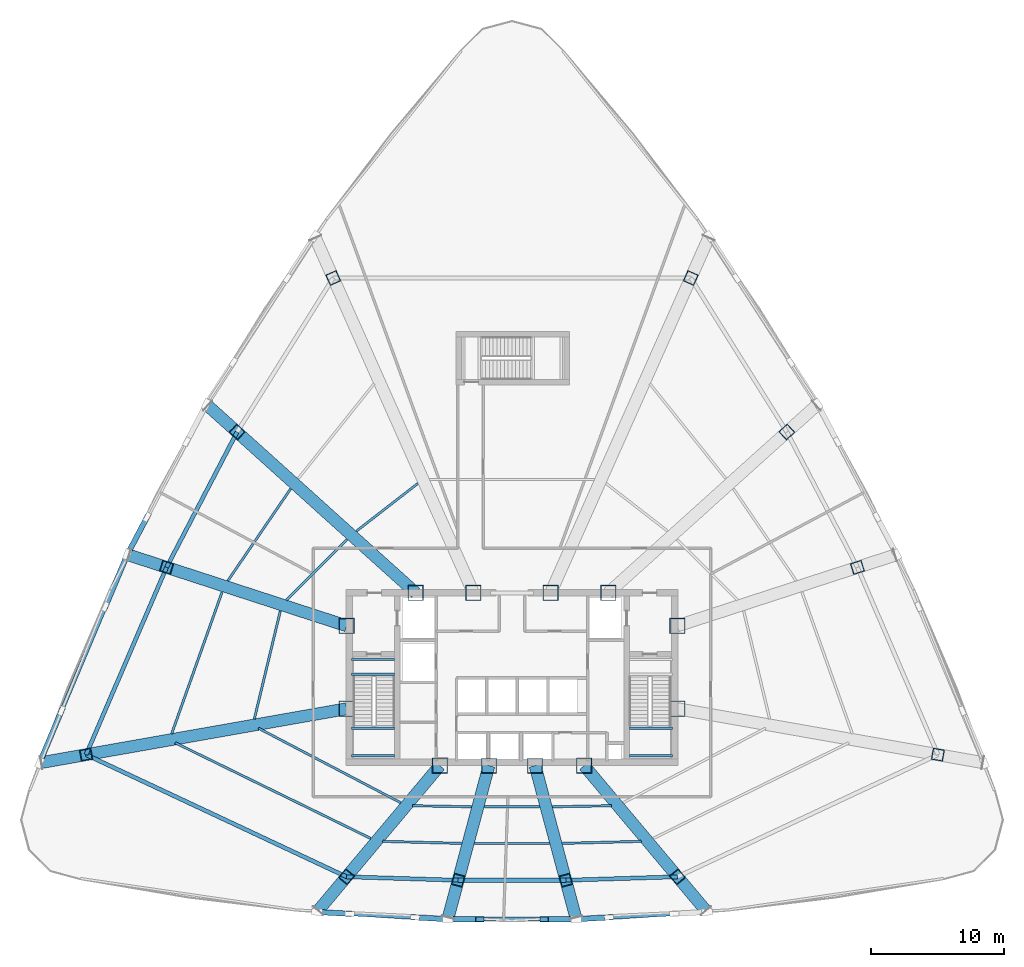
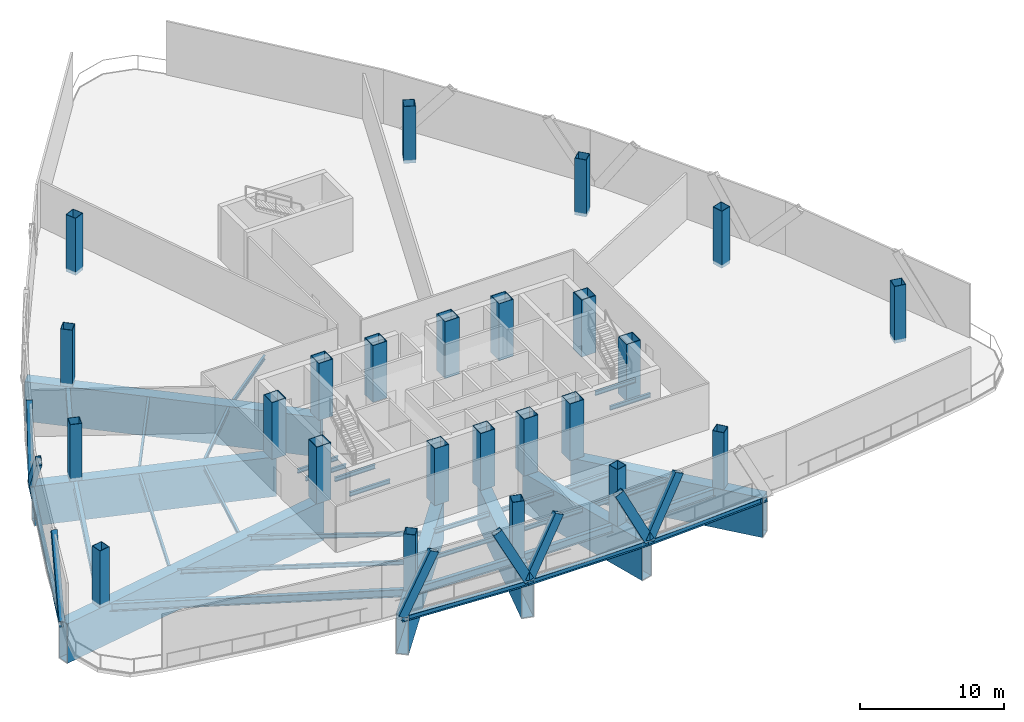
# One storey, part 1 of 14: 36 beams, 24 columns, 8 members.
"""IFC4 building model written with IfcOpenShell, lengths in metres."""

from ifc_helpers import new_model, si_unit, direction, frame, origin, origin_2d, place, context, subcontext, project, spatial, hollow_rectangle, i_section, extrude, source, transform, mapped, material, material_profile, profile_set, type_object, element, save


model = new_model("IFC4")

# Units and contexts
model_context = context("Model", 3, precision=1e-05, world=origin(), true_north=direction((0.0, 1.0)))
body_context = subcontext(model_context, "Body", "Model", "MODEL_VIEW")
ifc_project = project(units=[si_unit("LENGTHUNIT", "METRE"), si_unit("AREAUNIT", "SQUARE_METRE"), si_unit("VOLUMEUNIT", "CUBIC_METRE"), si_unit("PLANEANGLEUNIT", "RADIAN"), si_unit("MASSUNIT", "GRAM", prefix="KILO"), si_unit("THERMODYNAMICTEMPERATUREUNIT", "KELVIN"), si_unit("POWERUNIT", "WATT")], contexts=[model_context])

# Site, building, storey
site_placement = place(None, origin())
site = spatial("IfcSite", under=ifc_project, at=site_placement, CompositionType="ELEMENT")
building_placement = place(site_placement, origin())
building = spatial("IfcBuilding", under=site, at=building_placement, Name="Yunzhuo Pagoda Commons", CompositionType="ELEMENT")
storey_placement = place(building_placement, frame((0.0, 0.0, 224.81005859375)))
storey = spatial("IfcBuildingStorey", under=building, at=storey_placement, Name="L56", CompositionType="ELEMENT", Elevation=224.81005859375)

# Columns
ifc_material_1 = material(Name="Structural steel Q420B", Category="steel")
ifc_material_profile_1 = material_profile(ifc_material_1, hollow_rectangle(XDim=1.14990234375, YDim=1.14990234375, WallThickness=0.048095703125, at=origin_2d()), Name="Structural steel Q420B")
ifc_profile_set_1 = profile_set([ifc_material_profile_1], Name="Structural steel Q420B")
column_type_1 = type_object("IfcColumnType", Name="C-COR Column BOX 1150x1150x48", PredefinedType="COLUMN", material=ifc_profile_set_1)
shared_shape_1 = source(origin(), body_context, "Body", "SweptSolid", [
    extrude(hollow_rectangle(XDim=1.14990234375, YDim=1.14990234375, WallThickness=0.048095703125, at=origin_2d()), origin(), (0.0, 0.0, 1.0), 4.820068359375),
])
for number, where, z_axis, x_axis, name in (
    (1, (42.587890625, 27.25, -0.280029296875), (0.0, 0.0, 1.0), (1.0, 0.0, 0.0), "L56 core composite column F1C1"),
    (2, (46.27197265625, 27.25, -0.280029296875), (0.0, 0.0, 1.0), (1.0, 0.0, 0.0), "L56 core composite column F1C2"),
    (3, (49.728515625, 27.25, -0.280029296875), (0.0, 0.0, 1.0), (1.0, 0.0, 0.0), "L56 core composite column F1C3"),
    (4, (53.412109375, 27.25, -0.280029296875), (0.0, 0.0, 1.0), (1.0, 0.0, 0.0), "L56 core composite column F1C4"),
    (5, (60.39990234375, 31.513427734375, -0.280029296875), (0.0, 0.0, 1.0), (1.0, 0.0, 0.0), "L56 core composite column F2C1"),
    (6, (60.39990234375, 37.72900390625, -0.280029296875), (0.0, 0.0, 1.0), (1.0, 0.0, 0.0), "L56 core composite column F2C2"),
    (7, (55.218994140625, 40.199951171875, -0.280029296875), (0.0, 0.0, 1.0), (1.0, 0.0, 0.0), "L56 core composite column F2C3"),
    (8, (50.89404296875, 40.199951171875, -0.280029296875), (0.0, 0.0, 1.0), (1.0, 0.0, 0.0), "L56 core composite column F2C4"),
    (9, (45.10595703125, 40.199951171875, -0.280029296875), (0.0, 0.0, 1.0), (1.0, 0.0, 0.0), "L56 core composite column F3C1"),
    (10, (40.781005859375, 40.199951171875, -0.280029296875), (0.0, 0.0, 1.0), (1.0, 0.0, 0.0), "L56 core composite column F3C2"),
    (11, (35.60009765625, 37.72900390625, -0.280029296875), (0.0, 0.0, 1.0), (1.0, 0.0, 0.0), "L56 core composite column F3C3"),
    (12, (35.60009765625, 31.513427734375, -0.280029296875), (0.0, 0.0, 1.0), (1.0, 0.0, 0.0), "L56 core composite column F3C4"),
):
    element("IfcColumn", number, at=place(storey_placement, frame(where, z_axis=z_axis, x_axis=x_axis)), inside=storey, type_object=column_type_1, Name=name, PredefinedType="COLUMN", context=body_context, shape_type="MappedRepresentation", body=[
        mapped(shared_shape_1, transform((0.0, 0.0, 0.0), scale=1.0)),
    ])
ifc_material_2 = material(Name="Structural steel Q355B", Category="steel")
ifc_material_profile_2 = material_profile(ifc_material_2, hollow_rectangle(XDim=0.85009765625, YDim=0.85009765625, WallThickness=0.033935546875, at=origin_2d()), Name="Structural steel Q355B")
ifc_profile_set_2 = profile_set([ifc_material_profile_2], Name="Structural steel Q355B")
column_type_2 = type_object("IfcColumnType", Name="C-Z5 Column BOX 850x850x34", PredefinedType="COLUMN", material=ifc_profile_set_2)
shared_shape_2 = source(origin(), body_context, "Body", "SweptSolid", [
    extrude(hollow_rectangle(XDim=0.85009765625, YDim=0.85009765625, WallThickness=0.033935546875, at=origin_2d()), origin(), (0.0, 0.0, 1.0), 4.820068359375),
])
for number, where, z_axis, x_axis, name in (
    (13, (35.593017578125, 18.913818359375, -0.280029296875), (0.0, 0.0, 1.0), (0.766044443119, -0.642787609687, 0.0), "L56 tower column F1C1"),
    (14, (43.968505859375, 18.654052734375, -0.280029296875), (0.0, 0.0, 1.0), (0.965925826289, -0.258819045103, 0.0), "L56 tower column F1C2"),
    (15, (52.031494140625, 18.654052734375, -0.280029296875), (0.0, 0.0, 1.0), (0.965925826289, 0.258819045103, 0.0), "L56 tower column F1C3"),
    (16, (60.406982421875, 18.913818359375, -0.280029296875), (0.0, 0.0, 1.0), (0.766044443119, 0.642787609687, 0.0), "L56 tower column F1C4"),
    (17, (79.93408203125, 28.069091796875, -0.280029296875), (0.0, 0.0, 1.0), (0.173648177667, 0.984807753012, 0.0), "L56 tower column F2C1"),
    (18, (73.898681640625, 42.114990234375, -0.280029296875), (0.0, 0.0, 1.0), (-0.309016994375, 0.951056516295, 0.0), "L56 tower column F2C2"),
    (19, (68.61181640625, 52.259033203125, -0.280029296875), (0.0, 0.0, 1.0), (-0.669130606359, 0.743144825477, 0.0), "L56 tower column F2C3"),
    (20, (61.40673828125, 63.81201171875, -0.280029296875), (0.0, 0.0, 1.0), (-0.913545457643, 0.406736643076, 0.0), "L56 tower column F2C4"),
    (21, (34.59326171875, 63.81201171875, -0.280029296875), (0.0, 0.0, 1.0), (-0.913545457643, -0.406736643076, 0.0), "L56 tower column F3C1"),
    (22, (27.38818359375, 52.259033203125, -0.280029296875), (0.0, 0.0, 1.0), (-0.669130606359, -0.743144825477, 0.0), "L56 tower column F3C2"),
    (23, (22.101806640625, 42.114990234375, -0.280029296875), (0.0, 0.0, 1.0), (-0.309016994375, -0.951056516295, 0.0), "L56 tower column F3C3"),
    (24, (16.06591796875, 28.069091796875, -0.280029296875), (0.0, 0.0, 1.0), (0.173648177667, -0.984807753012, 0.0), "L56 tower column F3C4"),
):
    element("IfcColumn", number, at=place(storey_placement, frame(where, z_axis=z_axis, x_axis=x_axis)), inside=storey, type_object=column_type_2, Name=name, PredefinedType="COLUMN", context=body_context, shape_type="MappedRepresentation", body=[
        mapped(shared_shape_2, transform((0.0, 0.0, 0.0), scale=1.0)),
    ])

# Beams
ifc_material_profile_3 = material_profile(ifc_material_2, i_section(OverallWidth=0.175048828125, OverallDepth=0.35009765625, WebThickness=0.007080078125, FlangeThickness=0.010986328125, at=origin_2d()), Name="Structural steel Q355B")
ifc_profile_set_3 = profile_set([ifc_material_profile_3], Name="Structural steel Q355B")
beam_type_1 = type_object("IfcBeamType", Name="B-JS2 Joist HN 350x175x7x11", PredefinedType="JOIST", material=ifc_profile_set_3)
shared_shape_3 = source(origin(), body_context, "Body", "SweptSolid", [
    extrude(i_section(OverallWidth=0.175048828125, OverallDepth=0.35009765625, WebThickness=0.007080078125, FlangeThickness=0.010986328125, at=origin_2d()), origin(), (0.0, 0.0, 1.0), 3.25),
])
for number, where, z_axis, x_axis, name in (
    (25, (35.949951171875, 28.0, 2.02490234375), (1.0, 0.0, 0.0), (0.0, 1.0, 0.0), "L56 ST1 landing support beam 62A"),
    (26, (35.949951171875, 30.06005859375, 2.02490234375), (1.0, 0.0, 0.0), (0.0, 1.0, 0.0), "L56 ST1 landing support beam 62B"),
    (27, (35.949951171875, 34.10009765625, -0.375), (1.0, 0.0, 0.0), (0.0, 1.0, 0.0), "L56 ST1 landing support beam 160A"),
    (28, (35.949951171875, 35.199951171875, -0.375), (1.0, 0.0, 0.0), (0.0, 1.0, 0.0), "L56 ST1 landing support beam 160B"),
    (29, (56.800048828125, 28.0, 2.02490234375), (1.0, 0.0, 0.0), (0.0, 1.0, 0.0), "L56 ST2 landing support beam 62A"),
    (30, (56.800048828125, 30.06005859375, 2.02490234375), (1.0, 0.0, 0.0), (0.0, 1.0, 0.0), "L56 ST2 landing support beam 62B"),
):
    element("IfcBeam", number, at=place(storey_placement, frame(where, z_axis=z_axis, x_axis=x_axis)), inside=storey, type_object=beam_type_1, Name=name, PredefinedType="JOIST", context=body_context, shape_type="MappedRepresentation", body=[
        mapped(shared_shape_3, transform((0.0, 0.0, 0.0), scale=1.0)),
    ])
ifc_material_profile_4 = material_profile(ifc_material_1, hollow_rectangle(XDim=0.89990234375, YDim=3.35009765625, WallThickness=0.048095703125, at=origin_2d()), Name="Structural steel Q420B")
ifc_profile_set_4 = profile_set([ifc_material_profile_4], Name="Structural steel Q420B")
beam_type_2 = type_object("IfcBeamType", Name="BTR-2 Beam BOX 3350x900x48", PredefinedType="BEAM", material=ifc_profile_set_4)
shared_shape_4 = source(origin(), body_context, "Body", "SweptSolid", [
    extrude(hollow_rectangle(XDim=0.89990234375, YDim=3.35009765625, WallThickness=0.048095703125, at=origin_2d()), origin(), (0.0, 0.0, 1.0), 14.174072265625),
])
for number, where, z_axis, x_axis, name in (
    (31, (33.47705078125, 16.39208984375, -1.954833984375), (0.642786427105, 0.766045435421, 0.0), (-0.766045435421, 0.642786427105, 0.0), "BTR-2 L56 collinear transfer girder F1C1"),
    (32, (62.52294921875, 16.39208984375, -1.954833984375), (-0.642786427105, 0.766045435421, 0.0), (-0.766045435421, -0.642786427105, 0.0), "BTR-2 L56 collinear transfer girder F1C4"),
):
    element("IfcBeam", number, at=place(storey_placement, frame(where, z_axis=z_axis, x_axis=x_axis)), inside=storey, type_object=beam_type_2, Name=name, PredefinedType="BEAM", context=body_context, shape_type="MappedRepresentation", body=[
        mapped(shared_shape_4, transform((0.0, 0.0, 0.0), scale=1.0)),
    ])
shared_shape_5 = source(origin(), body_context, "Body", "SweptSolid", [
    extrude(hollow_rectangle(XDim=0.89990234375, YDim=3.35009765625, WallThickness=0.048095703125, at=origin_2d()), origin(), (0.0, 0.0, 1.0), 11.76806640625),
])
beam_1_placement = place(storey_placement, frame((43.22607421875, 15.883056640625, -1.954833984375), z_axis=(0.258829759859, 0.965922955215, 0.0), x_axis=(-0.965922955215, 0.258829759859, 0.0)))
element("IfcBeam", 33, at=beam_1_placement, inside=storey, type_object=beam_type_2, Name="BTR-2 L56 collinear transfer girder F1C2", PredefinedType="BEAM", context=body_context, shape_type="MappedRepresentation", body=[
    mapped(shared_shape_5, transform((0.0, 0.0, 0.0), scale=1.0)),
])
shared_shape_6 = source(origin(), body_context, "Body", "SweptSolid", [
    extrude(hollow_rectangle(XDim=0.89990234375, YDim=3.35009765625, WallThickness=0.048095703125, at=origin_2d()), origin(), (0.0, 0.0, 1.0), 11.767822265625),
])
beam_2_placement = place(storey_placement, frame((52.77392578125, 15.883056640625, -1.954833984375), z_axis=(-0.258791046504, 0.965933328056, 0.0), x_axis=(-0.965933328056, -0.258791046504, 0.0)))
element("IfcBeam", 34, at=beam_2_placement, inside=storey, type_object=beam_type_2, Name="BTR-2 L56 collinear transfer girder F1C3", PredefinedType="BEAM", context=body_context, shape_type="MappedRepresentation", body=[
    mapped(shared_shape_6, transform((0.0, 0.0, 0.0), scale=1.0)),
])
shared_shape_7 = source(origin(), body_context, "Body", "SweptSolid", [
    extrude(hollow_rectangle(XDim=0.89990234375, YDim=3.35009765625, WallThickness=0.048095703125, at=origin_2d()), origin(), (0.0, 0.0, 1.0), 23.22265625),
])
beam_3_placement = place(storey_placement, frame((12.730224609375, 27.48095703125, -1.954833984375), z_axis=(0.984808525924, 0.173643794211, 0.0), x_axis=(-0.173643794211, 0.984808525924, 0.0)))
element("IfcBeam", 35, at=beam_3_placement, inside=storey, type_object=beam_type_2, Name="BTR-2 L56 collinear transfer girder F3C4", PredefinedType="BEAM", context=body_context, shape_type="MappedRepresentation", body=[
    mapped(shared_shape_7, transform((0.0, 0.0, 0.0), scale=1.0)),
])
shared_shape_8 = source(origin(), body_context, "Body", "SweptSolid", [
    extrude(hollow_rectangle(XDim=0.89990234375, YDim=3.35009765625, WallThickness=0.048095703125, at=origin_2d()), origin(), (0.0, 0.0, 1.0), 20.974609375),
])
beam_4_placement = place(storey_placement, frame((25.19384765625, 54.23486328125, -1.954833984375), z_axis=(0.743140751916, -0.669135130479, 0.0), x_axis=(0.669135130479, 0.743140751916, 0.0)))
element("IfcBeam", 36, at=beam_4_placement, inside=storey, type_object=beam_type_2, Name="BTR-2 L56 collinear transfer girder F3C2", PredefinedType="BEAM", context=body_context, shape_type="MappedRepresentation", body=[
    mapped(shared_shape_8, transform((0.0, 0.0, 0.0), scale=1.0)),
])
shared_shape_9 = source(origin(), body_context, "Body", "SweptSolid", [
    extrude(hollow_rectangle(XDim=0.89990234375, YDim=3.35009765625, WallThickness=0.048095703125, at=origin_2d()), origin(), (0.0, 0.0, 1.0), 17.135498046875),
])
beam_5_placement = place(storey_placement, frame((19.30322265625, 43.024169921875, -1.954833984375), z_axis=(0.951056681956, -0.309016484524, 0.0), x_axis=(0.309016484524, 0.951056681956, 0.0)))
element("IfcBeam", 37, at=beam_5_placement, inside=storey, type_object=beam_type_2, Name="BTR-2 L56 collinear transfer girder F3C3", PredefinedType="BEAM", context=body_context, shape_type="MappedRepresentation", body=[
    mapped(shared_shape_9, transform((0.0, 0.0, 0.0), scale=1.0)),
])
ifc_material_profile_5 = material_profile(ifc_material_2, i_section(OverallWidth=0.300048828125, OverallDepth=0.43994140625, WebThickness=0.010986328125, FlangeThickness=0.01806640625, at=origin_2d()), Name="Structural steel Q355B")
ifc_profile_set_5 = profile_set([ifc_material_profile_5], Name="Structural steel Q355B")
beam_type_3 = type_object("IfcBeamType", Name="B-SP2 Beam HM 440x300x11x18", PredefinedType="BEAM", material=ifc_profile_set_5)
shared_shape_10 = source(origin(), body_context, "Body", "SweptSolid", [
    extrude(i_section(OverallWidth=0.300048828125, OverallDepth=0.43994140625, WebThickness=0.010986328125, FlangeThickness=0.01806640625, at=origin_2d()), origin(), (0.0, 0.0, 1.0), 9.823486328125),
])
for number, where, z_axis, x_axis, name in (
    (38, (33.377197265625, 16.273681640625, -0.5), (0.998486395032, -0.054999263048, 0.0), (0.054999263048, 0.998486395032, 0.0), "L56 facade edge spandrel beam F1.1"),
    (39, (52.814208984375, 15.7333984375, -0.5), (0.998486395032, 0.054999263048, 0.0), (-0.054999263048, 0.998486395032, 0.0), "L56 facade edge spandrel beam F1.3"),
):
    element("IfcBeam", number, at=place(storey_placement, frame(where, z_axis=z_axis, x_axis=x_axis)), inside=storey, type_object=beam_type_3, Name=name, PredefinedType="BEAM", context=body_context, shape_type="MappedRepresentation", body=[
        mapped(shared_shape_10, transform((0.0, 0.0, 0.0), scale=1.0)),
    ])
shared_shape_11 = source(origin(), body_context, "Body", "SweptSolid", [
    extrude(i_section(OverallWidth=0.300048828125, OverallDepth=0.43994140625, WebThickness=0.010986328125, FlangeThickness=0.01806640625, at=origin_2d()), origin(), (0.0, 0.0, 1.0), 9.62841796875),
])
beam_6_placement = place(storey_placement, frame((43.185791015625, 15.7333984375, -0.5), z_axis=(1.0, 0.0, 0.0), x_axis=(0.0, 1.0, 0.0)))
element("IfcBeam", 40, at=beam_6_placement, inside=storey, type_object=beam_type_3, Name="L56 facade edge spandrel beam F1.2", PredefinedType="BEAM", context=body_context, shape_type="MappedRepresentation", body=[
    mapped(shared_shape_11, transform((0.0, 0.0, 0.0), scale=1.0)),
])
shared_shape_12 = source(origin(), body_context, "Body", "SweptSolid", [
    extrude(i_section(OverallWidth=0.300048828125, OverallDepth=0.43994140625, WebThickness=0.010986328125, FlangeThickness=0.01806640625, at=origin_2d()), origin(), (0.0, 0.0, 1.0), 16.947021484375),
])
beam_7_placement = place(storey_placement, frame((19.15576171875, 43.072265625, -0.5), z_axis=(-0.388172279694, -0.921586827856, 0.0), x_axis=(0.921586827856, -0.388172279694, 0.0)))
element("IfcBeam", 41, at=beam_7_placement, inside=storey, type_object=beam_type_3, Name="L56 facade edge spandrel beam F3.3", PredefinedType="BEAM", context=body_context, shape_type="MappedRepresentation", body=[
    mapped(shared_shape_12, transform((0.0, 0.0, 0.0), scale=1.0)),
])
ifc_material_profile_6 = material_profile(ifc_material_2, i_section(OverallWidth=0.300048828125, OverallDepth=0.64990234375, WebThickness=0.012939453125, FlangeThickness=0.02197265625, at=origin_2d()), Name="Structural steel Q355B")
ifc_profile_set_6 = profile_set([ifc_material_profile_6], Name="Structural steel Q355B")
beam_type_4 = type_object("IfcBeamType", Name="B-RG2 Beam HN 650x300x13x22", PredefinedType="BEAM", material=ifc_profile_set_6)
shared_shape_13 = source(origin(), body_context, "Body", "SweptSolid", [
    extrude(i_section(OverallWidth=0.300048828125, OverallDepth=0.64990234375, WebThickness=0.012939453125, FlangeThickness=0.02197265625, at=origin_2d()), origin(), (0.0, 0.0, 1.0), 8.37939453125),
])
for number, where, z_axis, x_axis, name in (
    (42, (35.593017578125, 18.913818359375, -0.60498046875), (0.999519382133, -0.031000076447, 0.0), (0.031000076447, 0.999519382133, 0.0), "L56 column-ring beam 1"),
    (43, (52.031494140625, 18.654052734375, -0.60498046875), (0.999519382133, 0.031000076447, 0.0), (-0.031000076447, 0.999519382133, 0.0), "L56 column-ring beam 3"),
):
    element("IfcBeam", number, at=place(storey_placement, frame(where, z_axis=z_axis, x_axis=x_axis)), inside=storey, type_object=beam_type_4, Name=name, PredefinedType="BEAM", context=body_context, shape_type="MappedRepresentation", body=[
        mapped(shared_shape_13, transform((0.0, 0.0, 0.0), scale=1.0)),
    ])
shared_shape_14 = source(origin(), body_context, "Body", "SweptSolid", [
    extrude(i_section(OverallWidth=0.175048828125, OverallDepth=0.35009765625, WebThickness=0.007080078125, FlangeThickness=0.010986328125, at=origin_2d()), origin(), (0.0, 0.0, 1.0), 4.419677734375),
])
for number, where, z_axis, x_axis, name in (
    (44, (40.546630859375, 24.24072265625, -0.454833984375), (0.999848596706, -0.017400679998, 0.0), (0.017400679998, 0.999848596706, 0.0), "L56 composite ring joist 1.1"),
    (45, (51.034423828125, 24.163818359375, -0.454833984375), (0.999848596706, 0.017400679998, 0.0), (-0.017400679998, 0.999848596706, 0.0), "L56 composite ring joist 1.3"),
):
    element("IfcBeam", number, at=place(storey_placement, frame(where, z_axis=z_axis, x_axis=x_axis)), inside=storey, type_object=beam_type_1, Name=name, PredefinedType="JOIST", context=body_context, shape_type="MappedRepresentation", body=[
        mapped(shared_shape_14, transform((0.0, 0.0, 0.0), scale=1.0)),
    ])
shared_shape_15 = source(origin(), body_context, "Body", "SweptSolid", [
    extrude(i_section(OverallWidth=0.175048828125, OverallDepth=0.35009765625, WebThickness=0.007080078125, FlangeThickness=0.010986328125, at=origin_2d()), origin(), (0.0, 0.0, 1.0), 5.922119140625),
])
beam_8_placement = place(storey_placement, frame((38.308349609375, 21.569091796875, -0.454833984375), z_axis=(0.999670129485, -0.025683306143, 0.0), x_axis=(0.025683306143, 0.999670129485, 0.0)))
element("IfcBeam", 46, at=beam_8_placement, inside=storey, type_object=beam_type_1, Name="L56 composite ring joist 2.1", PredefinedType="JOIST", context=body_context, shape_type="MappedRepresentation", body=[
    mapped(shared_shape_15, transform((0.0, 0.0, 0.0), scale=1.0)),
])
shared_shape_16 = source(origin(), body_context, "Body", "SweptSolid", [
    extrude(i_section(OverallWidth=0.300048828125, OverallDepth=0.64990234375, WebThickness=0.012939453125, FlangeThickness=0.02197265625, at=origin_2d()), origin(), (0.0, 0.0, 1.0), 8.06298828125),
])
beam_9_placement = place(storey_placement, frame((43.968505859375, 18.654052734375, -0.60498046875), z_axis=(1.0, 0.0, 0.0), x_axis=(0.0, 1.0, 0.0)))
element("IfcBeam", 47, at=beam_9_placement, inside=storey, type_object=beam_type_4, Name="L56 column-ring beam 2", PredefinedType="BEAM", context=body_context, shape_type="MappedRepresentation", body=[
    mapped(shared_shape_16, transform((0.0, 0.0, 0.0), scale=1.0)),
])
shared_shape_17 = source(origin(), body_context, "Body", "SweptSolid", [
    extrude(i_section(OverallWidth=0.175048828125, OverallDepth=0.35009765625, WebThickness=0.007080078125, FlangeThickness=0.010986328125, at=origin_2d()), origin(), (0.0, 0.0, 1.0), 4.1611328125),
])
beam_10_placement = place(storey_placement, frame((45.91943359375, 24.155517578125, -0.454833984375), z_axis=(1.0, 0.0, 0.0), x_axis=(0.0, 1.0, 0.0)))
element("IfcBeam", 48, at=beam_10_placement, inside=storey, type_object=beam_type_1, Name="L56 composite ring joist 1.2", PredefinedType="JOIST", context=body_context, shape_type="MappedRepresentation", body=[
    mapped(shared_shape_17, transform((0.0, 0.0, 0.0), scale=1.0)),
])
shared_shape_18 = source(origin(), body_context, "Body", "SweptSolid", [
    extrude(i_section(OverallWidth=0.175048828125, OverallDepth=0.35009765625, WebThickness=0.007080078125, FlangeThickness=0.010986328125, at=origin_2d()), origin(), (0.0, 0.0, 1.0), 5.634765625),
])
beam_11_placement = place(storey_placement, frame((45.1826171875, 21.40478515625, -0.454833984375), z_axis=(1.0, 0.0, 0.0), x_axis=(0.0, 1.0, 0.0)))
element("IfcBeam", 49, at=beam_11_placement, inside=storey, type_object=beam_type_1, Name="L56 composite ring joist 2.2", PredefinedType="JOIST", context=body_context, shape_type="MappedRepresentation", body=[
    mapped(shared_shape_18, transform((0.0, 0.0, 0.0), scale=1.0)),
])
shared_shape_19 = source(origin(), body_context, "Body", "SweptSolid", [
    extrude(i_section(OverallWidth=0.175048828125, OverallDepth=0.35009765625, WebThickness=0.007080078125, FlangeThickness=0.010986328125, at=origin_2d()), origin(), (0.0, 0.0, 1.0), 5.922607421875),
])
beam_12_placement = place(storey_placement, frame((51.771484375, 21.4169921875, -0.454833984375), z_axis=(0.999670183866, 0.025681189417, 0.0), x_axis=(-0.025681189417, 0.999670183866, 0.0)))
element("IfcBeam", 50, at=beam_12_placement, inside=storey, type_object=beam_type_1, Name="L56 composite ring joist 2.3", PredefinedType="JOIST", context=body_context, shape_type="MappedRepresentation", body=[
    mapped(shared_shape_19, transform((0.0, 0.0, 0.0), scale=1.0)),
])
shared_shape_20 = source(origin(), body_context, "Body", "SweptSolid", [
    extrude(i_section(OverallWidth=0.300048828125, OverallDepth=0.64990234375, WebThickness=0.012939453125, FlangeThickness=0.02197265625, at=origin_2d()), origin(), (0.0, 0.0, 1.0), 21.56689453125),
])
beam_13_placement = place(storey_placement, frame((16.06591796875, 28.069091796875, -0.60498046875), z_axis=(0.905424265365, -0.424507832304, 0.0), x_axis=(0.424507832304, 0.905424265365, 0.0)))
element("IfcBeam", 51, at=beam_13_placement, inside=storey, type_object=beam_type_4, Name="L56 column-ring beam 12", PredefinedType="BEAM", context=body_context, shape_type="MappedRepresentation", body=[
    mapped(shared_shape_20, transform((0.0, 0.0, 0.0), scale=1.0)),
])
shared_shape_21 = source(origin(), body_context, "Body", "SweptSolid", [
    extrude(i_section(OverallWidth=0.175048828125, OverallDepth=0.35009765625, WebThickness=0.007080078125, FlangeThickness=0.010986328125, at=origin_2d()), origin(), (0.0, 0.0, 1.0), 12.0302734375),
])
beam_14_placement = place(storey_placement, frame((28.990234375, 30.05224609375, -0.454833984375), z_axis=(0.885838287701, -0.463994103457, 0.0), x_axis=(0.463994103457, 0.885838287701, 0.0)))
element("IfcBeam", 52, at=beam_14_placement, inside=storey, type_object=beam_type_1, Name="L56 composite ring joist 1.12", PredefinedType="JOIST", context=body_context, shape_type="MappedRepresentation", body=[
    mapped(shared_shape_21, transform((0.0, 0.0, 0.0), scale=1.0)),
])
shared_shape_22 = source(origin(), body_context, "Body", "SweptSolid", [
    extrude(i_section(OverallWidth=0.175048828125, OverallDepth=0.35009765625, WebThickness=0.007080078125, FlangeThickness=0.010986328125, at=origin_2d()), origin(), (0.0, 0.0, 1.0), 16.317626953125),
])
beam_15_placement = place(storey_placement, frame((22.745361328125, 28.9619140625, -0.454833984375), z_axis=(0.898262843008, -0.439458604275, 0.0), x_axis=(0.439458604275, 0.898262843008, 0.0)))
element("IfcBeam", 53, at=beam_15_placement, inside=storey, type_object=beam_type_1, Name="L56 composite ring joist 2.12", PredefinedType="JOIST", context=body_context, shape_type="MappedRepresentation", body=[
    mapped(shared_shape_22, transform((0.0, 0.0, 0.0), scale=1.0)),
])
shared_shape_23 = source(origin(), body_context, "Body", "SweptSolid", [
    extrude(i_section(OverallWidth=0.175048828125, OverallDepth=0.35009765625, WebThickness=0.007080078125, FlangeThickness=0.010986328125, at=origin_2d()), origin(), (0.0, 0.0, 1.0), 8.337890625),
])
beam_16_placement = place(storey_placement, frame((30.62890625, 38.843994140625, -0.454833984375), z_axis=(-0.233838055104, -0.972275559697, 0.0), x_axis=(0.972275559697, -0.233838055104, 0.0)))
element("IfcBeam", 54, at=beam_16_placement, inside=storey, type_object=beam_type_1, Name="L56 composite ring joist 1.11", PredefinedType="JOIST", context=body_context, shape_type="MappedRepresentation", body=[
    mapped(shared_shape_23, transform((0.0, 0.0, 0.0), scale=1.0)),
])
shared_shape_24 = source(origin(), body_context, "Body", "SweptSolid", [
    extrude(i_section(OverallWidth=0.300048828125, OverallDepth=0.64990234375, WebThickness=0.012939453125, FlangeThickness=0.02197265625, at=origin_2d()), origin(), (0.0, 0.0, 1.0), 11.43896484375),
])
beam_17_placement = place(storey_placement, frame((27.38818359375, 52.259033203125, -0.60498046875), z_axis=(-0.462142168026, -0.886805850529, 0.0), x_axis=(0.886805850529, -0.462142168026, 0.0)))
element("IfcBeam", 55, at=beam_17_placement, inside=storey, type_object=beam_type_4, Name="L56 column-ring beam 10", PredefinedType="BEAM", context=body_context, shape_type="MappedRepresentation", body=[
    mapped(shared_shape_24, transform((0.0, 0.0, 0.0), scale=1.0)),
])
shared_shape_25 = source(origin(), body_context, "Body", "SweptSolid", [
    extrude(i_section(OverallWidth=0.175048828125, OverallDepth=0.35009765625, WebThickness=0.007080078125, FlangeThickness=0.010986328125, at=origin_2d()), origin(), (0.0, 0.0, 1.0), 6.43701171875),
])
beam_18_placement = place(storey_placement, frame((35.622802734375, 44.20361328125, -0.454833984375), z_axis=(-0.706138961984, -0.708073277542, 0.0), x_axis=(0.708073277542, -0.706138961984, 0.0)))
element("IfcBeam", 56, at=beam_18_placement, inside=storey, type_object=beam_type_1, Name="L56 composite ring joist 1.10", PredefinedType="JOIST", context=body_context, shape_type="MappedRepresentation", body=[
    mapped(shared_shape_25, transform((0.0, 0.0, 0.0), scale=1.0)),
])
shared_shape_26 = source(origin(), body_context, "Body", "SweptSolid", [
    extrude(i_section(OverallWidth=0.175048828125, OverallDepth=0.35009765625, WebThickness=0.007080078125, FlangeThickness=0.010986328125, at=origin_2d()), origin(), (0.0, 0.0, 1.0), 5.83203125),
])
beam_19_placement = place(storey_placement, frame((40.944580078125, 48.407958984375, -0.454833984375), z_axis=(-0.790154014325, -0.61290834033, 0.0), x_axis=(0.61290834033, -0.790154014325, 0.0)))
element("IfcBeam", 57, at=beam_19_placement, inside=storey, type_object=beam_type_1, Name="L56 composite ring joist 1.9", PredefinedType="JOIST", context=body_context, shape_type="MappedRepresentation", body=[
    mapped(shared_shape_26, transform((0.0, 0.0, 0.0), scale=1.0)),
])
shared_shape_27 = source(origin(), body_context, "Body", "SweptSolid", [
    extrude(i_section(OverallWidth=0.175048828125, OverallDepth=0.35009765625, WebThickness=0.007080078125, FlangeThickness=0.010986328125, at=origin_2d()), origin(), (0.0, 0.0, 1.0), 8.357666015625),
])
beam_20_placement = place(storey_placement, frame((31.40478515625, 48.00634765625, -0.454833984375), z_axis=(-0.564075334834, -0.82572332935, 0.0), x_axis=(0.82572332935, -0.564075334834, 0.0)))
element("IfcBeam", 58, at=beam_20_placement, inside=storey, type_object=beam_type_1, Name="L56 composite ring joist 2.10", PredefinedType="JOIST", context=body_context, shape_type="MappedRepresentation", body=[
    mapped(shared_shape_27, transform((0.0, 0.0, 0.0), scale=1.0)),
])
shared_shape_28 = source(origin(), body_context, "Body", "SweptSolid", [
    extrude(i_section(OverallWidth=0.300048828125, OverallDepth=0.64990234375, WebThickness=0.012939453125, FlangeThickness=0.02197265625, at=origin_2d()), origin(), (0.0, 0.0, 1.0), 15.287841796875),
])
beam_21_placement = place(storey_placement, frame((22.101806640625, 42.114990234375, -0.60498046875), z_axis=(-0.394815333819, -0.918760497726, 0.0), x_axis=(0.918760497726, -0.394815333819, 0.0)))
element("IfcBeam", 59, at=beam_21_placement, inside=storey, type_object=beam_type_4, Name="L56 column-ring beam 11", PredefinedType="BEAM", context=body_context, shape_type="MappedRepresentation", body=[
    mapped(shared_shape_28, transform((0.0, 0.0, 0.0), scale=1.0)),
])
shared_shape_29 = source(origin(), body_context, "Body", "SweptSolid", [
    extrude(i_section(OverallWidth=0.175048828125, OverallDepth=0.35009765625, WebThickness=0.007080078125, FlangeThickness=0.010986328125, at=origin_2d()), origin(), (0.0, 0.0, 1.0), 11.294189453125),
])
beam_22_placement = place(storey_placement, frame((26.261474609375, 40.261962890625, -0.454833984375), z_axis=(-0.335100927856, -0.942182237229, 0.0), x_axis=(0.942182237229, -0.335100927856, 0.0)))
element("IfcBeam", 60, at=beam_22_placement, inside=storey, type_object=beam_type_1, Name="L56 composite ring joist 2.11", PredefinedType="JOIST", context=body_context, shape_type="MappedRepresentation", body=[
    mapped(shared_shape_29, transform((0.0, 0.0, 0.0), scale=1.0)),
])

# Members
ifc_material_profile_7 = material_profile(ifc_material_2, hollow_rectangle(XDim=0.39990234375, YDim=0.719970703125, WallThickness=0.02392578125, at=origin_2d()), Name="Structural steel Q355B")
ifc_profile_set_7 = profile_set([ifc_material_profile_7], Name="Structural steel Q355B")
member_type = type_object("IfcMemberType", Name="M-DL2 Brace BOX 720x400x24", PredefinedType="BRACE", material=ifc_profile_set_7)
shared_shape_30 = source(origin(), body_context, "Body", "SweptSolid", [
    extrude(hollow_rectangle(XDim=0.39990234375, YDim=0.719970703125, WallThickness=0.02392578125, at=origin_2d()), origin(), (0.0, 0.0, 1.0), 5.40966796875),
])
for number, where, z_axis, x_axis, name in (
    (61, (33.377197265625, 16.273681640625, -0.280029296875), (0.453290960449, -0.025002309049, 0.891011890895), (0.05507359548, 0.998482297831, 0.0), "L56 facade diamond brace F1.1L"),
    (62, (43.185791015625, 15.7333984375, -0.280029296875), (-0.453291471467, 0.024957206663, 0.891012895378), (-0.054974485367, -0.998487759544, 0.0), "L56 facade diamond brace F1.1R"),
    (63, (52.814208984375, 15.7333984375, -0.280029296875), (0.453291471467, 0.024957206663, 0.891012895378), (-0.054974485367, 0.998487759544, 0.0), "L56 facade diamond brace F1.3L"),
):
    element("IfcMember", number, at=place(storey_placement, frame(where, z_axis=z_axis, x_axis=x_axis)), inside=storey, type_object=member_type, Name=name, PredefinedType="BRACE", context=body_context, shape_type="MappedRepresentation", body=[
        mapped(shared_shape_30, transform((0.0, 0.0, 0.0), scale=1.0)),
    ])
shared_shape_31 = source(origin(), body_context, "Body", "SweptSolid", [
    extrude(hollow_rectangle(XDim=0.39990234375, YDim=0.719970703125, WallThickness=0.02392578125, at=origin_2d()), origin(), (0.0, 0.0, 1.0), 5.3876953125),
])
for number, where, z_axis, x_axis, name in (
    (64, (43.185791015625, 15.7333984375, -0.280029296875), (0.446796657546, 0.0, 0.894635538533), (0.0, 1.0, 0.0), "L56 facade diamond brace F1.2L"),
    (65, (52.814208984375, 15.7333984375, -0.280029296875), (-0.446796657546, 0.0, 0.894635538533), (0.0, -1.0, 0.0), "L56 facade diamond brace F1.2R"),
):
    element("IfcMember", number, at=place(storey_placement, frame(where, z_axis=z_axis, x_axis=x_axis)), inside=storey, type_object=member_type, Name=name, PredefinedType="BRACE", context=body_context, shape_type="MappedRepresentation", body=[
        mapped(shared_shape_31, transform((0.0, 0.0, 0.0), scale=1.0)),
    ])
shared_shape_32 = source(origin(), body_context, "Body", "SweptSolid", [
    extrude(hollow_rectangle(XDim=0.39990234375, YDim=0.719970703125, WallThickness=0.02392578125, at=origin_2d()), origin(), (0.0, 0.0, 1.0), 6.41748046875),
])
member_1_placement = place(storey_placement, frame((12.577392578125, 27.4541015625, -0.280029296875), z_axis=(0.25626142247, 0.608430660565, 0.751094011851), x_axis=(-0.921591981361, 0.388160044172, 0.0)))
element("IfcMember", 66, at=member_1_placement, inside=storey, type_object=member_type, Name="L56 facade diamond brace F3.3R", PredefinedType="BRACE", context=body_context, shape_type="MappedRepresentation", body=[
    mapped(shared_shape_32, transform((0.0, 0.0, 0.0), scale=1.0)),
])
shared_shape_33 = source(origin(), body_context, "Body", "SweptSolid", [
    extrude(hollow_rectangle(XDim=0.39990234375, YDim=0.719970703125, WallThickness=0.02392578125, at=origin_2d()), origin(), (0.0, 0.0, 1.0), 5.775634765625),
])
member_2_placement = place(storey_placement, frame((19.15576171875, 43.072265625, -0.280029296875), z_axis=(0.256373255371, 0.487637571963, 0.834555182322), x_axis=(-0.885126179931, 0.465351099279, 0.0)))
element("IfcMember", 67, at=member_2_placement, inside=storey, type_object=member_type, Name="L56 facade diamond brace F3.2R", PredefinedType="BRACE", context=body_context, shape_type="MappedRepresentation", body=[
    mapped(shared_shape_33, transform((0.0, 0.0, 0.0), scale=1.0)),
])
shared_shape_34 = source(origin(), body_context, "Body", "SweptSolid", [
    extrude(hollow_rectangle(XDim=0.39990234375, YDim=0.719970703125, WallThickness=0.02392578125, at=origin_2d()), origin(), (0.0, 0.0, 1.0), 6.417236328125),
])
member_3_placement = place(storey_placement, frame((19.15576171875, 43.072265625, -0.280029296875), z_axis=(-0.256225876707, -0.608436591861, 0.751101333903), x_axis=(0.921612594332, -0.388111100033, 0.0)))
element("IfcMember", 68, at=member_3_placement, inside=storey, type_object=member_type, Name="L56 facade diamond brace F3.3L", PredefinedType="BRACE", context=body_context, shape_type="MappedRepresentation", body=[
    mapped(shared_shape_34, transform((0.0, 0.0, 0.0), scale=1.0)),
])

save(model, "model.ifc")
